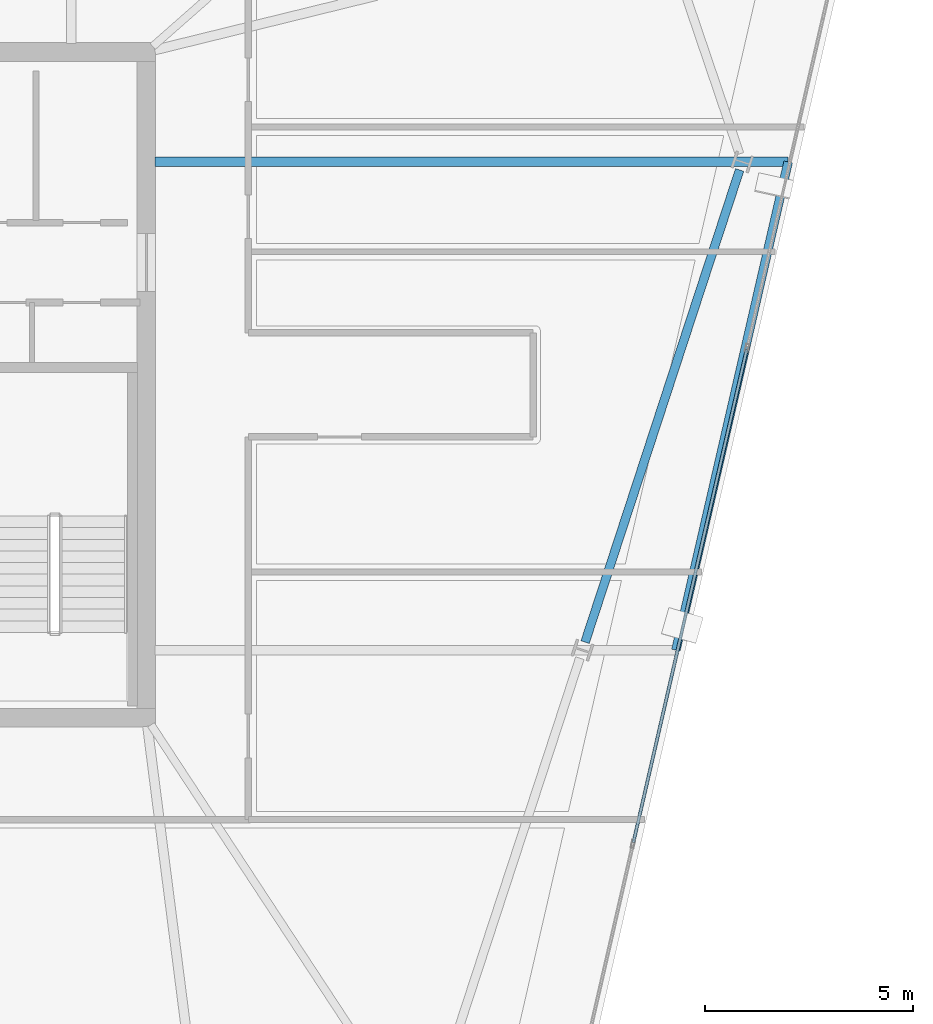
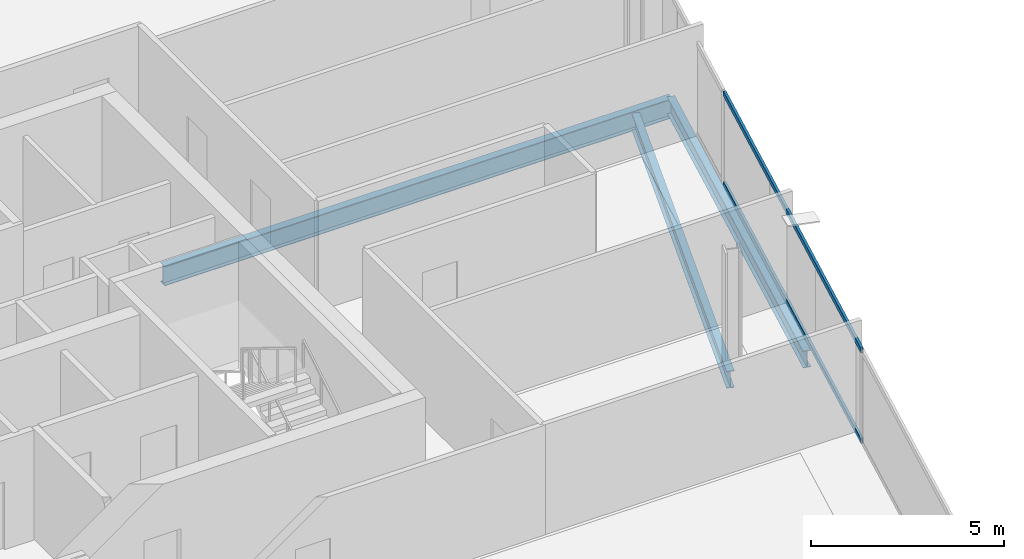
# One storey, part 11 of 28: 3 beams, 2 members, 1 element without a shape of its own.
"""IFC4 building model written with IfcOpenShell, lengths in metres."""

from ifc_helpers import new_model, si_unit, direction, frame, origin, origin_2d, place, context, subcontext, project, spatial, hollow_rectangle, i_section, extrude, material, material_profile, profile_set, type_object, element, aggregate, save


model = new_model("IFC4")

# Units and contexts
model_context = context("Model", 3, precision=1e-05, world=origin(), true_north=direction((0.0, 1.0)))
body_context = subcontext(model_context, "Body", "Model", "MODEL_VIEW")
ifc_project = project(units=[si_unit("LENGTHUNIT", "METRE"), si_unit("AREAUNIT", "SQUARE_METRE"), si_unit("VOLUMEUNIT", "CUBIC_METRE"), si_unit("PLANEANGLEUNIT", "RADIAN"), si_unit("MASSUNIT", "GRAM", prefix="KILO")], contexts=[model_context])

# Site, building, storey
site_placement = place(None, origin())
site = spatial("IfcSite", under=ifc_project, at=site_placement, CompositionType="ELEMENT")
building_placement = place(site_placement, origin())
building = spatial("IfcBuilding", under=site, at=building_placement, Name="Haldenkirk Collegiate Tower", CompositionType="ELEMENT")
storey_placement = place(building_placement, frame((0.0, 0.0, 286.199951171875)))
storey = spatial("IfcBuildingStorey", under=building, at=storey_placement, Name="L72", CompositionType="ELEMENT", Elevation=286.199951171875)

# Beams
ifc_material_1 = material(Name="Steel ASTM A992 Grade 50", Category="steel")
ifc_material_profile_1 = material_profile(ifc_material_1, i_section(OverallWidth=0.22998046875, OverallDepth=0.616943359375, WebThickness=0.01318359375, FlangeThickness=0.022216796875, at=origin_2d()), Name="W24X94")
ifc_profile_set_1 = profile_set([ifc_material_profile_1], Name="Steel ASTM A992 Grade 50")
beam_type_1 = type_object("IfcBeamType", Name="BM-GIRDER-W24X94", PredefinedType="BEAM", material=ifc_profile_set_1)
beam_1_placement = place(storey_placement, frame((60.427490234375, 31.360107421875, -0.578369140625), z_axis=(-1.0, 0.0, 0.0), x_axis=(0.0, -1.0, 0.0)))
element("IfcBeam", 1, at=beam_1_placement, inside=storey, type_object=beam_type_1, Name="L72 primary floor girder 07", PredefinedType="BEAM", context=body_context, shape_type="SweptSolid", body=[
    extrude(i_section(OverallWidth=0.22998046875, OverallDepth=0.616943359375, WebThickness=0.01318359375, FlangeThickness=0.022216796875, at=origin_2d()), origin(), (0.0, 0.0, 1.0), 15.222412109375),
])
ifc_material_profile_2 = material_profile(ifc_material_1, i_section(OverallWidth=0.2099609375, OverallDepth=0.537109375, WebThickness=0.010986328125, FlangeThickness=0.017333984375, at=origin_2d()), Name="W21X68")
ifc_profile_set_2 = profile_set([ifc_material_profile_2], Name="Steel ASTM A992 Grade 50")
beam_type_2 = type_object("IfcBeamType", Name="BM-SPANDREL-W21X68", PredefinedType="SPANDREL", material=ifc_profile_set_2)
beam_2_placement = place(storey_placement, frame((55.54638671875, 19.81689453125, -0.538330078125), z_axis=(0.311010188249, 0.950406577631, 0.0), x_axis=(-0.950406577631, 0.311010188249, 0.0)))
element("IfcBeam", 2, at=beam_2_placement, inside=storey, type_object=beam_type_2, Name="L72 perimeter spandrel beam 03", PredefinedType="SPANDREL", context=body_context, shape_type="SweptSolid", body=[
    extrude(i_section(OverallWidth=0.2099609375, OverallDepth=0.537109375, WebThickness=0.010986328125, FlangeThickness=0.017333984375, at=origin_2d()), origin(), (0.0, 0.0, 1.0), 11.94287109375),
])
beam_3_placement = place(storey_placement, frame((57.728759765625, 19.624267578125, -0.538330078125), z_axis=(0.224107256687, 0.974564486065, 0.0), x_axis=(-0.974564486065, 0.224107256687, 0.0)))
element("IfcBeam", 3, at=beam_3_placement, inside=storey, type_object=beam_type_2, Name="L72 outer facade edge beam 1", PredefinedType="SPANDREL", context=body_context, shape_type="SweptSolid", body=[
    extrude(i_section(OverallWidth=0.2099609375, OverallDepth=0.537109375, WebThickness=0.010986328125, FlangeThickness=0.017333984375, at=origin_2d()), origin(), (0.0, 0.0, 1.0), 12.042236328125),
])

# Curtain wall, members
ifc_material_2 = material(Name="Anodised architectural bronze aluminium", Category="aluminium")
curtain_wall_type = type_object("IfcCurtainWallType", Name="CW-SYS2-CONCAVE", PredefinedType="USERDEFINED", material=ifc_material_2)
curtain_wall_placement = place(storey_placement, origin())
curtain_wall = element("IfcCurtainWall", 4, at=curtain_wall_placement, inside=storey, type_object=curtain_wall_type, Name="L72 South concave recessed bronze-anodised curtain wall", ObjectType="UNITISED CURTAIN WALL", PredefinedType="USERDEFINED")
ifc_material_profile_3 = material_profile(ifc_material_2, hollow_rectangle(XDim=0.074951171875, YDim=0.159912109375, WallThickness=0.0048828125, at=origin_2d()), Name="CW-TRN-02")
ifc_profile_set_3 = profile_set([ifc_material_profile_3], Name="Anodised architectural bronze aluminium")
member_type = type_object("IfcMemberType", Name="CW-TRN-02", PredefinedType="USERDEFINED", material=ifc_profile_set_3)
member_1_placement = place(storey_placement, frame((59.431396484375, 26.849853515625, 0.03759765625), z_axis=(-0.224093911707, -0.974567554732, 0.0), x_axis=(0.974567554732, -0.224093911707, 0.0)))
member_1 = element("IfcMember", 5, at=member_1_placement, type_object=member_type, Name="CW-02 transom 2.1", ObjectType="TRANSOM", PredefinedType="USERDEFINED", context=body_context, shape_type="SweptSolid", body=[
    extrude(hollow_rectangle(XDim=0.074951171875, YDim=0.159912109375, WallThickness=0.0048828125, at=origin_2d()), origin(), (0.0, 0.0, 1.0), 12.158447265625),
])
member_2_placement = place(storey_placement, frame((59.431396484375, 26.849853515625, 2.900634765625), z_axis=(-0.224093911707, -0.974567554732, 0.0), x_axis=(0.974567554732, -0.224093911707, 0.0)))
member_2 = element("IfcMember", 6, at=member_2_placement, type_object=member_type, Name="CW-02 transom 2.2", ObjectType="TRANSOM", PredefinedType="USERDEFINED", context=body_context, shape_type="SweptSolid", body=[
    extrude(hollow_rectangle(XDim=0.074951171875, YDim=0.159912109375, WallThickness=0.0048828125, at=origin_2d()), origin(), (0.0, 0.0, 1.0), 12.158447265625),
])
aggregate(curtain_wall, [member_1, member_2])

save(model, "model.ifc")
